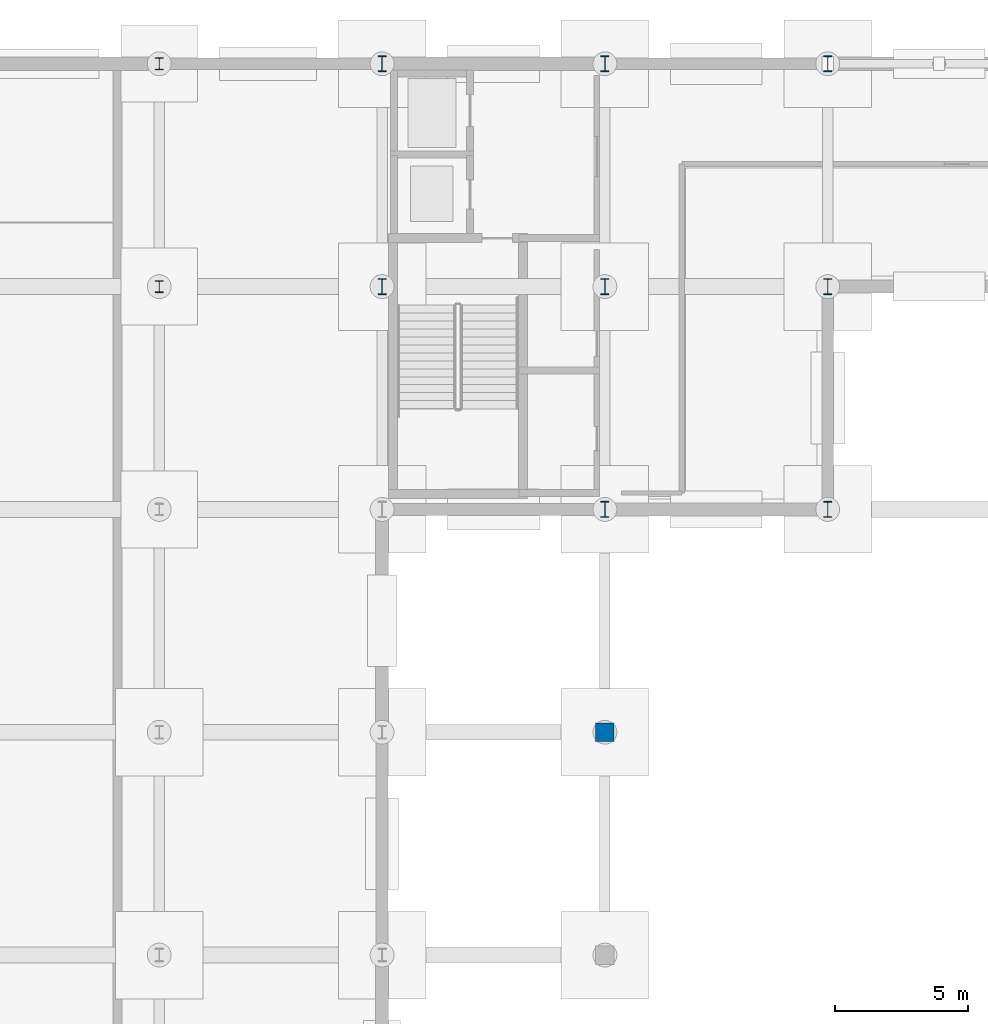
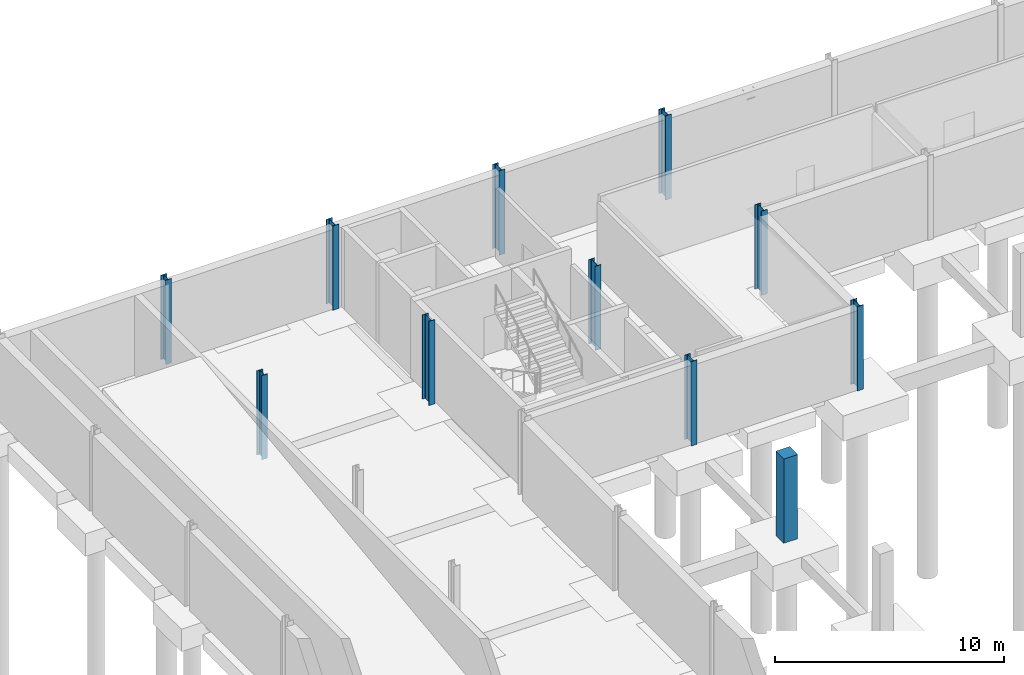
# One storey, part 16 of 43: 11 columns.
"""IFC4 building model written with IfcOpenShell, lengths in metres."""

from ifc_helpers import new_model, si_unit, direction, frame, origin, origin_2d, place, context, subcontext, project, spatial, rectangle, i_section, extrude, material, material_profile, profile_set, type_object, element, save


model = new_model("IFC4")

# Units and contexts
model_context = context("Model", 3, precision=1e-05, world=origin(), true_north=direction((0.0, 1.0)))
body_context = subcontext(model_context, "Body", "Model", "MODEL_VIEW")
ifc_project = project(units=[si_unit("LENGTHUNIT", "METRE"), si_unit("AREAUNIT", "SQUARE_METRE"), si_unit("VOLUMEUNIT", "CUBIC_METRE"), si_unit("PLANEANGLEUNIT", "RADIAN"), si_unit("MASSUNIT", "GRAM", prefix="KILO")], contexts=[model_context])

# Site, building, storey
site_placement = place(None, origin())
site = spatial("IfcSite", under=ifc_project, at=site_placement, CompositionType="ELEMENT")
building_placement = place(site_placement, origin())
building = spatial("IfcBuilding", under=site, at=building_placement, Name="Mersafa Astral City Hall", CompositionType="ELEMENT")
storey_placement = place(building_placement, frame((0.0, 0.0, -4.5)))
storey = spatial("IfcBuildingStorey", under=building, at=storey_placement, Name="B1", CompositionType="ELEMENT", Elevation=-4.5)

# Columns
ifc_material_1 = material(Name="Steel S355", Category="steel")
ifc_material_profile_1 = material_profile(ifc_material_1, i_section(OverallWidth=0.300048828125, OverallDepth=0.449951171875, WebThickness=0.013916015625, FlangeThickness=0.02587890625, FilletRadius=0.027099609375, at=origin_2d()), Name="HEB 450")
ifc_profile_set_1 = profile_set([ifc_material_profile_1], Name="Steel S355")
column_type_1 = type_object("IfcColumnType", Name="STR-COL-HEB450", PredefinedType="COLUMN", material=ifc_profile_set_1)
for number, where, z_axis, x_axis, name in (
    (1, (33.60009765625, 117.60009765625, 0.0), (0.0, 0.0, 1.0), (1.0, 0.0, 0.0), "B1 Structural column G-04-14"),
    (2, (33.60009765625, 126.0, 0.0), (0.0, 0.0, 1.0), (1.0, 0.0, 0.0), "B1 Structural column G-04-15"),
):
    element("IfcColumn", number, at=place(storey_placement, frame(where, z_axis=z_axis, x_axis=x_axis)), inside=storey, type_object=column_type_1, Name=name, PredefinedType="COLUMN", context=body_context, shape_type="SweptSolid", body=[
        extrude(i_section(OverallWidth=0.300048828125, OverallDepth=0.449951171875, WebThickness=0.013916015625, FlangeThickness=0.02587890625, FilletRadius=0.027099609375, at=origin_2d()), origin(), (0.0, 0.0, 1.0), 4.5),
    ])
ifc_material_profile_2 = material_profile(ifc_material_1, i_section(OverallWidth=0.300048828125, OverallDepth=0.60009765625, WebThickness=0.015380859375, FlangeThickness=0.030029296875, FilletRadius=0.027099609375, at=origin_2d()), Name="HEB 600")
ifc_profile_set_2 = profile_set([ifc_material_profile_2], Name="Steel S355")
column_type_2 = type_object("IfcColumnType", Name="STR-COL-HEB600", PredefinedType="COLUMN", material=ifc_profile_set_2)
for number, where, z_axis, x_axis, name in (
    (3, (42.0, 117.60009765625, 0.0), (0.0, 0.0, 1.0), (1.0, 0.0, 0.0), "B1 Structural column G-05-14"),
    (4, (42.0, 126.0, 0.0), (0.0, 0.0, 1.0), (1.0, 0.0, 0.0), "B1 Structural column G-05-15"),
    (5, (50.39990234375, 109.199951171875, 0.0), (0.0, 0.0, 1.0), (1.0, 0.0, 0.0), "B1 Structural column G-06-13"),
    (6, (50.39990234375, 117.60009765625, 0.0), (0.0, 0.0, 1.0), (1.0, 0.0, 0.0), "B1 Structural column G-06-14"),
    (7, (50.39990234375, 126.0, 0.0), (0.0, 0.0, 1.0), (1.0, 0.0, 0.0), "B1 Structural column G-06-15"),
    (8, (58.800048828125, 109.199951171875, 0.0), (0.0, 0.0, 1.0), (1.0, 0.0, 0.0), "B1 Structural column G-07-13"),
    (9, (58.800048828125, 117.60009765625, 0.0), (0.0, 0.0, 1.0), (1.0, 0.0, 0.0), "B1 Structural column G-07-14"),
    (10, (58.800048828125, 126.0, 0.0), (0.0, 0.0, 1.0), (1.0, 0.0, 0.0), "B1 Structural column G-07-15"),
):
    element("IfcColumn", number, at=place(storey_placement, frame(where, z_axis=z_axis, x_axis=x_axis)), inside=storey, type_object=column_type_2, Name=name, PredefinedType="COLUMN", context=body_context, shape_type="SweptSolid", body=[
        extrude(i_section(OverallWidth=0.300048828125, OverallDepth=0.60009765625, WebThickness=0.015380859375, FlangeThickness=0.030029296875, FilletRadius=0.027099609375, at=origin_2d()), origin(), (0.0, 0.0, 1.0), 4.5),
    ])
ifc_material_2 = material(Name="Concrete C40/50", Category="concrete")
ifc_material_profile_3 = material_profile(ifc_material_2, rectangle(XDim=0.699951171875, YDim=0.699951171875, at=origin_2d()), Name="RC 700x700")
ifc_profile_set_3 = profile_set([ifc_material_profile_3], Name="Concrete C40/50")
column_type_3 = type_object("IfcColumnType", Name="STR-COL-RC700", PredefinedType="COLUMN", material=ifc_profile_set_3)
column_placement = place(storey_placement, frame((50.39990234375, 100.800048828125, 0.0), z_axis=(0.0, 0.0, 1.0), x_axis=(1.0, 0.0, 0.0)))
element("IfcColumn", 11, at=column_placement, inside=storey, type_object=column_type_3, Name="B1 Structural column G-06-12", PredefinedType="COLUMN", context=body_context, shape_type="SweptSolid", body=[
    extrude(rectangle(XDim=0.699951171875, YDim=0.699951171875, at=origin_2d()), origin(), (0.0, 0.0, 1.0), 4.5),
])

save(model, "model.ifc")
